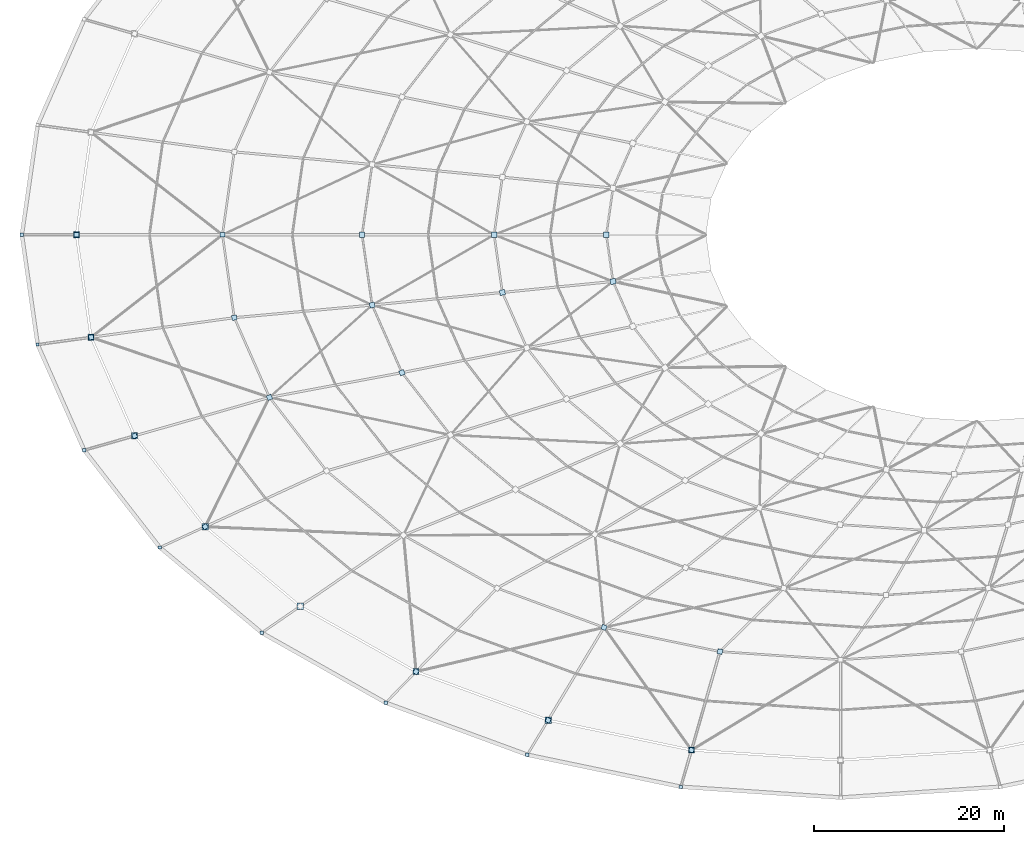
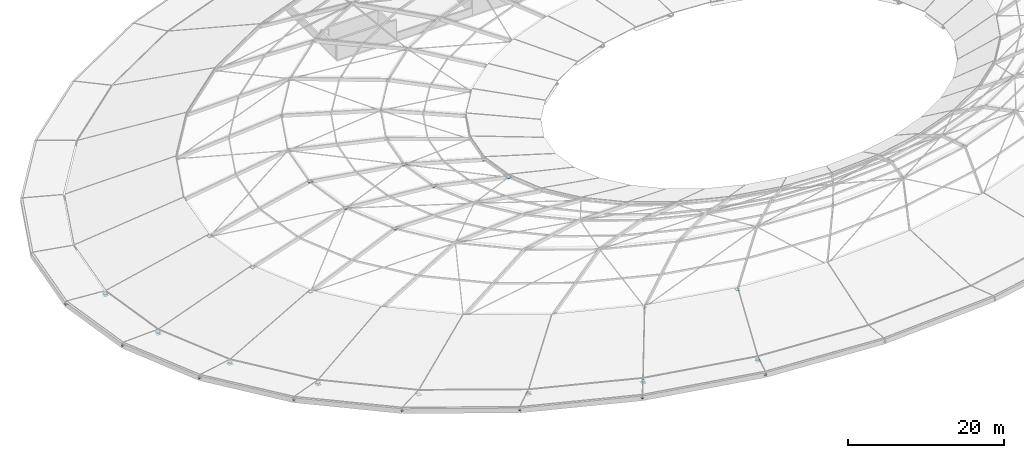
# One storey, part 18 of 30: 35 plates.
"""IFC4 building model written with IfcOpenShell, lengths in metres."""

from ifc_helpers import new_model, si_unit, direction, frame, origin, origin_2d, place, context, subcontext, project, spatial, rectangle, extrude, material, layer, layer_set, type_object, element, save


model = new_model("IFC4")

# Units and contexts
model_context = context("Model", 3, precision=1e-05, world=origin(), true_north=direction((0.0, 1.0)))
body_context = subcontext(model_context, "Body", "Model", "MODEL_VIEW")
ifc_project = project(units=[si_unit("LENGTHUNIT", "METRE"), si_unit("AREAUNIT", "SQUARE_METRE"), si_unit("VOLUMEUNIT", "CUBIC_METRE"), si_unit("PLANEANGLEUNIT", "RADIAN"), si_unit("MASSUNIT", "GRAM", prefix="KILO")], contexts=[model_context])

# Site, building, storey
site_placement = place(None, origin())
site = spatial("IfcSite", under=ifc_project, at=site_placement, CompositionType="ELEMENT")
building_placement = place(site_placement, origin())
building = spatial("IfcBuilding", under=site, at=building_placement, Name="Namkhue Oval Health Centre", CompositionType="ELEMENT")
storey_placement = place(building_placement, frame((0.0, 0.0, 26.39990234375)))
storey = spatial("IfcBuildingStorey", under=building, at=storey_placement, Name="RF", CompositionType="ELEMENT", Elevation=26.39990234375)

# Plates
ifc_material = material(Name="Structural steel EN 10025-2 S355JR (TCVN 5575:2024)", Category="steel")
ifc_layer_1 = layer(ifc_material, 0.02490234375)
ifc_layer_set_1 = layer_set([ifc_layer_1], Name="Structural steel EN 10025-2 S355JR (TCVN 5575:2024)")
plate_type_1 = type_object("IfcPlateType", Name="BASE SPLICE PLATE 660X660X25", PredefinedType="USERDEFINED", material=ifc_layer_set_1)
for number, where, z_axis, x_axis, name in (
    (1, (5.760009765625, 59.39990234375, 0.047607421875), (0.0, 0.0, 1.0), (1.0, 0.0, 0.0), "Gridshell OR Ring Bearing Plate 17"),
    (2, (7.3095703125, 48.584228515625, 0.047607421875), (0.0, 0.0, 1.0), (1.0, 0.0, 0.0), "Gridshell OR Ring Bearing Plate 18"),
    (3, (11.8984375, 38.18408203125, 0.047607421875), (0.0, 0.0, 1.0), (1.0, 0.0, 0.0), "Gridshell OR Ring Bearing Plate 19"),
    (4, (19.350341796875, 28.59912109375, 0.047607421875), (0.0, 0.0, 1.0), (1.0, 0.0, 0.0), "Gridshell OR Ring Bearing Plate 20"),
    (5, (29.37890625, 20.197998046875, 0.047607421875), (0.0, 0.0, 1.0), (1.0, 0.0, 0.0), "Gridshell OR Ring Bearing Plate 21"),
    (6, (41.598876953125, 13.30322265625, 0.047607421875), (0.0, 0.0, 1.0), (1.0, 0.0, 0.0), "Gridshell OR Ring Bearing Plate 22"),
    (7, (55.54052734375, 8.18017578125, 0.047607421875), (0.0, 0.0, 1.0), (1.0, 0.0, 0.0), "Gridshell OR Ring Bearing Plate 23"),
    (8, (70.66796875, 5.025146484375, 0.047607421875), (0.0, 0.0, 1.0), (1.0, 0.0, 0.0), "Gridshell OR Ring Bearing Plate 24"),
):
    element("IfcPlate", number, at=place(storey_placement, frame(where, z_axis=z_axis, x_axis=x_axis)), inside=storey, type_object=plate_type_1, Name=name, ObjectType="BASE_PLATE", PredefinedType="USERDEFINED", context=body_context, shape_type="SweptSolid", body=[
        extrude(rectangle(XDim=0.659912109375, YDim=0.659912109375, at=origin_2d()), origin(), (0.0, 0.0, 1.0), 0.02490234375),
    ])
ifc_layer_2 = layer(ifc_material, 0.02001953125)
ifc_layer_set_2 = layer_set([ifc_layer_2], Name="Structural steel EN 10025-2 S355JR (TCVN 5575:2024)")
plate_type_2 = type_object("IfcPlateType", Name="GRIDSHELL GUSSET PLATE 500X500X20", PredefinedType="USERDEFINED", material=ifc_layer_set_2)
for number, where, z_axis, x_axis, name in (
    (9, (5.760009765625, 59.39990234375, 0.31005859375), (0.0, 0.0, 1.0), (-1.0, 0.0, 0.0), "Gridshell Node Gusset Plate K1-17"),
    (10, (7.3095703125, 48.584228515625, 0.31005859375), (0.0, 0.0, 1.0), (-0.980785280403, -0.195090322016, 0.0), "Gridshell Node Gusset Plate K1-18"),
    (11, (11.8984375, 38.18408203125, 0.31005859375), (0.0, 0.0, 1.0), (-0.923879532511, -0.382683432365, 0.0), "Gridshell Node Gusset Plate K1-19"),
    (12, (19.350341796875, 28.59912109375, 0.31005859375), (0.0, 0.0, 1.0), (-0.831469612303, -0.55557023302, 0.0), "Gridshell Node Gusset Plate K1-20"),
    (13, (41.598876953125, 13.30322265625, 0.31005859375), (0.0, 0.0, 1.0), (-0.55557023302, -0.831469612303, 0.0), "Gridshell Node Gusset Plate K1-22"),
    (14, (55.54052734375, 8.18017578125, 0.31005859375), (0.0, 0.0, 1.0), (-0.382683432365, -0.923879532511, 0.0), "Gridshell Node Gusset Plate K1-23"),
    (15, (70.66796875, 5.025146484375, 0.31005859375), (0.0, 0.0, 1.0), (-0.195090322016, -0.980785280403, 0.0), "Gridshell Node Gusset Plate K1-24"),
):
    element("IfcPlate", number, at=place(storey_placement, frame(where, z_axis=z_axis, x_axis=x_axis)), inside=storey, type_object=plate_type_2, Name=name, ObjectType="GUSSET_PLATE", PredefinedType="USERDEFINED", context=body_context, shape_type="SweptSolid", body=[
        extrude(rectangle(XDim=0.5, YDim=0.5, at=origin_2d()), origin(), (0.0, 0.0, 1.0), 0.02001953125),
    ])
ifc_layer_3 = layer(ifc_material, 0.02197265625)
ifc_layer_set_3 = layer_set([ifc_layer_3], Name="Structural steel EN 10025-2 S355JR (TCVN 5575:2024)")
plate_type_3 = type_object("IfcPlateType", Name="GRIDSHELL GUSSET PLATE 520X520X22", PredefinedType="USERDEFINED", material=ifc_layer_set_3)
for number, where, z_axis, x_axis, name in (
    (16, (21.16796875, 59.39990234375, 3.80908203125), (0.0, 0.0, 1.0), (-1.0, 0.0, 0.0), "Gridshell Node Gusset Plate K2-17"),
    (17, (22.42138671875, 50.65087890625, 3.80908203125), (0.0, 0.0, 1.0), (-0.980785280403, -0.195090322016, 0.0), "Gridshell Node Gusset Plate K2-18"),
    (18, (26.133544921875, 42.23779296875, 3.80908203125), (0.0, 0.0, 1.0), (-0.923879532511, -0.382683432365, 0.0), "Gridshell Node Gusset Plate K2-19"),
    (19, (61.436767578125, 17.966796875, 3.80908203125), (0.0, 0.0, 1.0), (-0.382683432365, -0.923879532511, 0.0), "Gridshell Node Gusset Plate K2-23"),
    (20, (73.673828125, 15.414794921875, 3.80908203125), (0.0, 0.0, 1.0), (-0.195090322016, -0.980785280403, 0.0), "Gridshell Node Gusset Plate K2-24"),
):
    element("IfcPlate", number, at=place(storey_placement, frame(where, z_axis=z_axis, x_axis=x_axis)), inside=storey, type_object=plate_type_3, Name=name, ObjectType="GUSSET_PLATE", PredefinedType="USERDEFINED", context=body_context, shape_type="SweptSolid", body=[
        extrude(rectangle(XDim=0.52001953125, YDim=0.52001953125, at=origin_2d()), origin(), (0.0, 0.0, 1.0), 0.02197265625),
    ])
ifc_layer_4 = layer(ifc_material, 0.02197265625)
ifc_layer_set_4 = layer_set([ifc_layer_4], Name="Structural steel EN 10025-2 S355JR (TCVN 5575:2024)")
plate_type_4 = type_object("IfcPlateType", Name="GRIDSHELL GUSSET PLATE 540X540X22", PredefinedType="USERDEFINED", material=ifc_layer_set_4)
for number, where, z_axis, x_axis, name in (
    (21, (35.904052734375, 59.39990234375, 7.209228515625), (0.0, 0.0, 1.0), (-1.0, 0.0, 0.0), "Gridshell Node Gusset Plate K3-17"),
    (22, (36.966552734375, 51.9833984375, 7.209228515625), (0.0, 0.0, 1.0), (-0.980785280403, -0.195090322016, 0.0), "Gridshell Node Gusset Plate K3-18"),
    (23, (40.113037109375, 44.851806640625, 7.209228515625), (0.0, 0.0, 1.0), (-0.923879532511, -0.382683432365, 0.0), "Gridshell Node Gusset Plate K3-19"),
):
    element("IfcPlate", number, at=place(storey_placement, frame(where, z_axis=z_axis, x_axis=x_axis)), inside=storey, type_object=plate_type_4, Name=name, ObjectType="GUSSET_PLATE", PredefinedType="USERDEFINED", context=body_context, shape_type="SweptSolid", body=[
        extrude(rectangle(XDim=0.5400390625, YDim=0.5400390625, at=origin_2d()), origin(), (0.0, 0.0, 1.0), 0.02197265625),
    ])
ifc_layer_5 = layer(ifc_material, 0.02392578125)
ifc_layer_set_5 = layer_set([ifc_layer_5], Name="Structural steel EN 10025-2 S355JR (TCVN 5575:2024)")
plate_type_5 = type_object("IfcPlateType", Name="GRIDSHELL GUSSET PLATE 560X560X24", PredefinedType="USERDEFINED", material=ifc_layer_set_5)
for number, where, z_axis, x_axis, name in (
    (24, (49.840087890625, 59.39990234375, 5.008056640625), (0.0, 0.0, 1.0), (-1.0, 0.0, 0.0), "Gridshell Node Gusset Plate K4-17"),
    (25, (50.711669921875, 53.316162109375, 5.008056640625), (0.0, 0.0, 1.0), (-0.980785280403, -0.195090322016, 0.0), "Gridshell Node Gusset Plate K4-18"),
):
    element("IfcPlate", number, at=place(storey_placement, frame(where, z_axis=z_axis, x_axis=x_axis)), inside=storey, type_object=plate_type_5, Name=name, ObjectType="GUSSET_PLATE", PredefinedType="USERDEFINED", context=body_context, shape_type="SweptSolid", body=[
        extrude(rectangle(XDim=0.56005859375, YDim=0.56005859375, at=origin_2d()), origin(), (0.0, 0.0, 1.0), 0.02392578125),
    ])
ifc_layer_6 = layer(ifc_material, 0.02392578125)
ifc_layer_set_6 = layer_set([ifc_layer_6], Name="Structural steel EN 10025-2 S355JR (TCVN 5575:2024)")
plate_type_6 = type_object("IfcPlateType", Name="GRIDSHELL GUSSET PLATE 580X580X24", PredefinedType="USERDEFINED", material=ifc_layer_set_6)
for number, where, z_axis, x_axis, name in (
    (26, (61.679931640625, 59.39990234375, 1.608154296875), (0.0, 0.0, 1.0), (-1.0, 0.0, 0.0), "Gridshell Node Gusset Plate K5-17"),
    (27, (62.385498046875, 54.474853515625, 1.608154296875), (0.0, 0.0, 1.0), (-0.980785280403, -0.195090322016, 0.0), "Gridshell Node Gusset Plate K5-18"),
):
    element("IfcPlate", number, at=place(storey_placement, frame(where, z_axis=z_axis, x_axis=x_axis)), inside=storey, type_object=plate_type_6, Name=name, ObjectType="GUSSET_PLATE", PredefinedType="USERDEFINED", context=body_context, shape_type="SweptSolid", body=[
        extrude(rectangle(XDim=0.580078125, YDim=0.580078125, at=origin_2d()), origin(), (0.0, 0.0, 1.0), 0.02392578125),
    ])
ifc_layer_7 = layer(ifc_material, 0.02001953125)
ifc_layer_set_7 = layer_set([ifc_layer_7], Name="Structural steel EN 10025-2 S355JR (TCVN 5575:2024)")
plate_type_7 = type_object("IfcPlateType", Name="STEEL END CAP PLATE 340X340X20", PredefinedType="USERDEFINED", material=ifc_layer_set_7)
for number, where, z_axis, x_axis, name in (
    (28, (1.66015625, 47.8115234375, 0.655029296875), (0.0, 0.0, 1.0), (1.0, 0.0, 0.0), "Outer Eaves Strut Cap Plate 18"),
    (29, (14.56103515625, 26.399169921875, 0.655029296875), (0.0, 0.0, 1.0), (1.0, 0.0, 0.0), "Outer Eaves Strut Cap Plate 20"),
    (30, (38.398681640625, 10.0107421875, 0.655029296875), (0.0, 0.0, 1.0), (1.0, 0.0, 0.0), "Outer Eaves Strut Cap Plate 22"),
    (31, (69.544189453125, 1.141357421875, 0.655029296875), (0.0, 0.0, 1.0), (1.0, 0.0, 0.0), "Outer Eaves Strut Cap Plate 24"),
):
    element("IfcPlate", number, at=place(storey_placement, frame(where, z_axis=z_axis, x_axis=x_axis)), inside=storey, type_object=plate_type_7, Name=name, ObjectType="BASE_PLATE", PredefinedType="USERDEFINED", context=body_context, shape_type="SweptSolid", body=[
        extrude(rectangle(XDim=0.340087890625, YDim=0.340087890625, at=origin_2d()), origin(), (0.0, 0.0, 1.0), 0.02001953125),
    ])
ifc_layer_8 = layer(ifc_material, 0.02197265625)
ifc_layer_set_8 = layer_set([ifc_layer_8], Name="Structural steel EN 10025-2 S355JR (TCVN 5575:2024)")
plate_type_8 = type_object("IfcPlateType", Name="STEEL END CAP PLATE 380X380X22", PredefinedType="USERDEFINED", material=ifc_layer_set_8)
for number, where, z_axis, x_axis, name in (
    (32, (0.0, 59.39990234375, 0.654052734375), (0.0, 0.0, 1.0), (1.0, 0.0, 0.0), "Outer Eaves Strut Cap Plate 17"),
    (33, (6.576904296875, 36.668701171875, 0.654052734375), (0.0, 0.0, 1.0), (1.0, 0.0, 0.0), "Outer Eaves Strut Cap Plate 19"),
    (34, (25.305908203125, 17.39794921875, 0.654052734375), (0.0, 0.0, 1.0), (1.0, 0.0, 0.0), "Outer Eaves Strut Cap Plate 21"),
    (35, (53.336181640625, 4.521484375, 0.654052734375), (0.0, 0.0, 1.0), (1.0, 0.0, 0.0), "Outer Eaves Strut Cap Plate 23"),
):
    element("IfcPlate", number, at=place(storey_placement, frame(where, z_axis=z_axis, x_axis=x_axis)), inside=storey, type_object=plate_type_8, Name=name, ObjectType="BASE_PLATE", PredefinedType="USERDEFINED", context=body_context, shape_type="SweptSolid", body=[
        extrude(rectangle(XDim=0.3798828125, YDim=0.3798828125, at=origin_2d()), origin(), (0.0, 0.0, 1.0), 0.02197265625),
    ])

save(model, "model.ifc")
